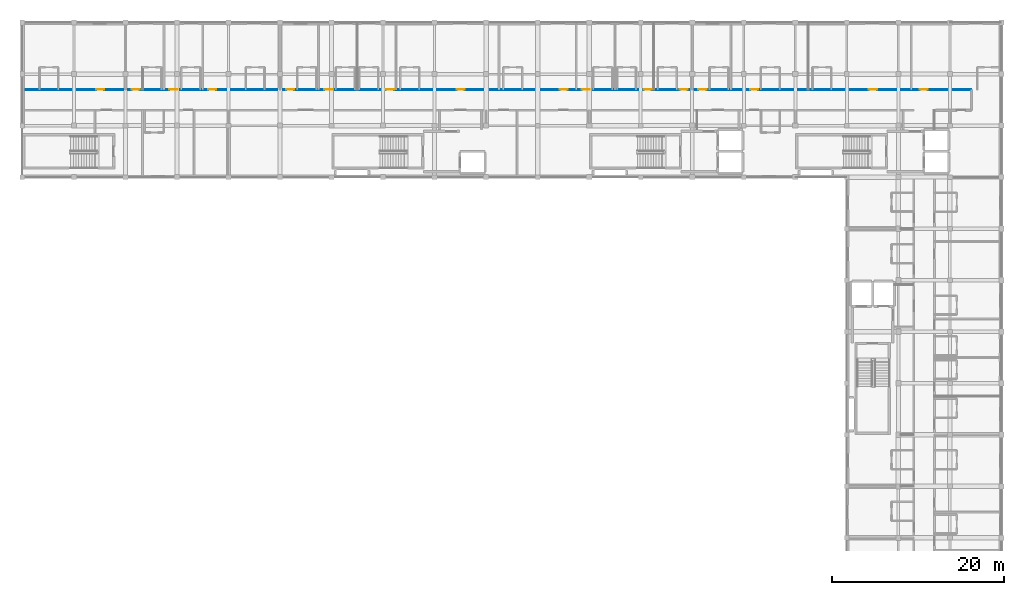
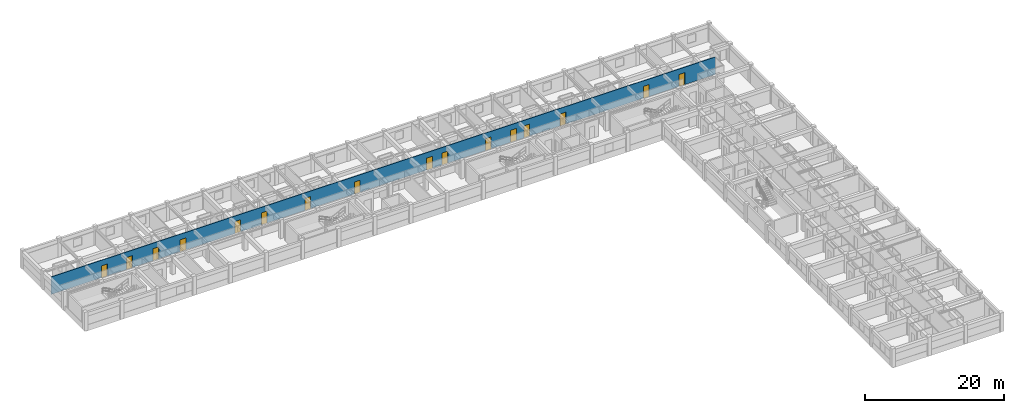
# One storey, part 12 of 21: 16 doors, 1 wall, 16 openings.
"""IFC4 building model written with IfcOpenShell, lengths in metres."""

import ifcopenshell
import ifcopenshell.guid

model = None  # the IFC model being written
_history = None  # IfcOwnerHistory: only IFC2X3 demands one
_inside = {}  # id of a spatial element -> (the spatial element, [elements in it])
_under = {}  # id of a project, library or spatial element -> (it, [spatial elements below it])
_declared = {}  # id of a project -> (the project, [libraries it declares])
_typed = {}  # id of a type object -> (the type object, [elements of that type])
_made_of = {}  # id of a material, layer set ... -> (it, [elements and type objects made of it])


def new_model(schema):
    """Start an empty IFC model of exactly this schema.

    Asked for "IFC4X3", IfcOpenShell would pick the latest addendum, in which some entities
    have other attributes; the version numbers below select the first issue.
    IFC2X3 requires an IfcOwnerHistory on every rooted entity: one is made here for all.
    """
    global model, _history
    if schema == "IFC4X3":
        model = ifcopenshell.file(schema_version=(4, 3, 0, 0))
    else:
        model = ifcopenshell.file(schema=schema)
    _inside.clear()
    _under.clear()
    _declared.clear()
    _typed.clear()
    _made_of.clear()
    _history = None
    if model.schema == "IFC2X3":
        org = make("IfcOrganization", Name="unknown")
        user = make(
            "IfcPersonAndOrganization",
            ThePerson=make("IfcPerson", FamilyName="unknown"),
            TheOrganization=org,
        )
        app = make(
            "IfcApplication",
            ApplicationDeveloper=org,
            Version="unknown",
            ApplicationFullName="unknown",
            ApplicationIdentifier="unknown",
        )
        _history = make(
            "IfcOwnerHistory",
            OwningUser=user,
            OwningApplication=app,
            ChangeAction="ADDED",
            CreationDate=0,
        )
    return model


def make(cls, **values):
    """One entity of the class cls with the attributes given. An attribute that is None is left unset."""
    return model.create_entity(
        cls, **{name: value for name, value in values.items() if value is not None}
    )


def rooted(cls, **values):
    """An entity with a GlobalId (a new one), such as an element, a storey or a relation."""
    return make(cls, GlobalId=ifcopenshell.guid.new(), OwnerHistory=_history, **values)


def si_unit(unit_type, name, prefix=None):
    """IfcSIUnit, for example si_unit("LENGTHUNIT", "METRE", prefix="MILLI")."""
    return make("IfcSIUnit", UnitType=unit_type, Prefix=prefix, Name=name)


def assignment(units):
    """IfcUnitAssignment: the units of a project."""
    return None if units is None else make("IfcUnitAssignment", Units=units)


def point(xyz):
    """IfcCartesianPoint."""
    return None if xyz is None else make("IfcCartesianPoint", Coordinates=xyz)


def direction(xyz):
    """IfcDirection."""
    return None if xyz is None else make("IfcDirection", DirectionRatios=xyz)


def frame(location, z_axis=None, x_axis=None):
    """IfcAxis2Placement3D, a coordinate frame: its origin and axes. An axis left out is left unset."""
    return make(
        "IfcAxis2Placement3D",
        Location=point(location),
        Axis=direction(z_axis),
        RefDirection=direction(x_axis),
    )


def frame_2d(location, x_axis=None):
    """IfcAxis2Placement2D, a coordinate frame in the plane: its origin and x axis."""
    return make(
        "IfcAxis2Placement2D", Location=point(location), RefDirection=direction(x_axis)
    )


def origin():
    """The frame at (0, 0, 0) with its axes left unset."""
    return frame((0.0, 0.0, 0.0))


def place(relative_to, where):
    """IfcLocalPlacement: puts the frame where relative to a parent placement (None: the world)."""
    return make(
        "IfcLocalPlacement", PlacementRelTo=relative_to, RelativePlacement=where
    )


def context(
    kind, dimensions, precision=None, world=None, true_north=None, identifier=None
):
    """IfcGeometricRepresentationContext, for example the 3D "Model" context."""
    return make(
        "IfcGeometricRepresentationContext",
        ContextIdentifier=identifier,
        ContextType=kind,
        CoordinateSpaceDimension=dimensions,
        Precision=precision,
        WorldCoordinateSystem=world,
        TrueNorth=true_north,
    )


def subcontext(parent, identifier, kind, view, scale=None):
    """IfcGeometricRepresentationSubContext, for example "Body" below "Model"."""
    return make(
        "IfcGeometricRepresentationSubContext",
        ContextIdentifier=identifier,
        ContextType=kind,
        ParentContext=parent,
        TargetScale=scale,
        TargetView=view,
    )


def project(units=None, contexts=None):
    """IfcProject with its units and contexts."""
    return rooted(
        "IfcProject",
        Name="project",
        RepresentationContexts=contexts,
        UnitsInContext=assignment(units),
    )


def spatial(cls, under=None, at=None, **own):
    """A site, building, storey or space (cls), placed at a placement, below another one or the project."""
    s = rooted(cls, ObjectPlacement=at, **own)
    if under is not None:
        _under.setdefault(under.id(), (under, []))[1].append(s)
    return s


def profile(cls, at=None, kind="AREA", **sizes):
    """A parametric profile (cls). Its sizes go by their IFC names, for example OverallWidth=200.0."""
    return make(cls, ProfileType=kind, Position=at, **sizes)


def rectangle(**sizes):
    """IfcRectangleProfileDef."""
    return profile("IfcRectangleProfileDef", **sizes)


def extrude(swept, where, along, depth):
    """IfcExtrudedAreaSolid: the profile swept, set in the frame where, extruded along a direction by depth."""
    return make(
        "IfcExtrudedAreaSolid",
        SweptArea=swept,
        Position=where,
        ExtrudedDirection=direction(along),
        Depth=depth,
    )


def shape(context_of_items, identifier, shape_type, items):
    """IfcShapeRepresentation: the items that make up one representation, for example the "Body"."""
    return make(
        "IfcShapeRepresentation",
        ContextOfItems=context_of_items,
        RepresentationIdentifier=identifier,
        RepresentationType=shape_type,
        Items=items,
    )


def material(Name=None, Category=None):
    """IfcMaterial."""
    return make("IfcMaterial", Name=Name, Category=Category)


def layer(
    of_material, thickness, ventilated=None, Name=None, Category=None, Priority=None
):
    """IfcMaterialLayer: one layer of a wall or slab, of a material (None: an air gap)."""
    return make(
        "IfcMaterialLayer",
        Material=of_material,
        LayerThickness=thickness,
        IsVentilated=ventilated,
        Name=Name,
        Category=Category,
        Priority=Priority,
    )


def layer_set(layers, Name=None):
    """IfcMaterialLayerSet."""
    return make("IfcMaterialLayerSet", MaterialLayers=layers, LayerSetName=Name)


def made_of(thing, what):
    """Note that an element or type object is made of a material, layer set ...; save() writes the relation."""
    if what is not None:
        _made_of.setdefault(what.id(), (what, []))[1].append(thing)
    return thing


def type_object(cls, material=None, **own):
    """A type object (cls), such as IfcWallType, which elements share."""
    return made_of(rooted(cls, **own), material)


def element(
    cls,
    number,
    at=None,
    inside=None,
    cuts=None,
    type_object=None,
    material=None,
    context=None,
    identifier="Body",
    shape_type=None,
    held_by="IfcProductDefinitionShape",
    body=None,
    shapes=None,
    **own,
):
    """One element of the class cls, such as IfcWall. Its Tag is "e" and its number.

    at: its placement. inside: the storey or other place that contains it. cuts: it is an
    opening in that element (IfcRelVoidsElement). A single representation is given by context,
    identifier, shape_type and body (its items); several are given by shapes. held_by: the class
    of the entity that holds the representations. save() writes the other relations.
    """
    e = rooted(cls, Tag="e%d" % number, ObjectPlacement=at, **own)
    if body is not None:
        shapes = [shape(context, identifier, shape_type, body)]
    if shapes is not None:
        e.Representation = make(held_by, Representations=shapes)
    if inside is not None:
        _inside.setdefault(inside.id(), (inside, []))[1].append(e)
    if cuts is not None:
        rooted(
            "IfcRelVoidsElement", RelatingBuildingElement=cuts, RelatedOpeningElement=e
        )
    if type_object is not None:
        _typed.setdefault(type_object.id(), (type_object, []))[1].append(e)
    return made_of(e, material)


def fill(opening, filler):
    """IfcRelFillsElement: the door or window that sits in an opening."""
    return rooted(
        "IfcRelFillsElement",
        RelatingOpeningElement=opening,
        RelatedBuildingElement=filler,
    )


def aggregate(whole, parts):
    """IfcRelAggregates: a whole, such as a stair, and the parts it consists of."""
    return rooted("IfcRelAggregates", RelatingObject=whole, RelatedObjects=parts)


def save(model, path):
    """Write the relations noted so far, then the file.

    IfcRelAggregates (storeys below a building ...), IfcRelContainedInSpatialStructure (elements
    in a storey), IfcRelDefinesByType, IfcRelAssociatesMaterial and IfcRelDeclares: one each for
    every whole, place, type object, material and project.
    """
    for whole, parts in _under.values():
        aggregate(whole, parts)
    for where, things in _inside.values():
        rooted(
            "IfcRelContainedInSpatialStructure",
            RelatedElements=things,
            RelatingStructure=where,
        )
    for kind, things in _typed.values():
        rooted("IfcRelDefinesByType", RelatedObjects=things, RelatingType=kind)
    for what, things in _made_of.values():
        rooted("IfcRelAssociatesMaterial", RelatedObjects=things, RelatingMaterial=what)
    for by, libraries in _declared.values():
        rooted("IfcRelDeclares", RelatingContext=by, RelatedDefinitions=libraries)
    model.write(path)


model = new_model("IFC4")

# Units and contexts
model_context = context("Model", 3, precision=1e-05, world=origin(), true_north=direction((0.0, 1.0)))
body_context = subcontext(model_context, "Body", "Model", "MODEL_VIEW")
ifc_project = project(units=[si_unit("LENGTHUNIT", "METRE"), si_unit("AREAUNIT", "SQUARE_METRE"), si_unit("VOLUMEUNIT", "CUBIC_METRE"), si_unit("PLANEANGLEUNIT", "RADIAN"), si_unit("MASSUNIT", "GRAM", prefix="KILO"), si_unit("THERMODYNAMICTEMPERATUREUNIT", "KELVIN"), si_unit("POWERUNIT", "WATT")], contexts=[model_context])

# Site, building, storey
site_placement = place(None, origin())
site = spatial("IfcSite", under=ifc_project, at=site_placement, CompositionType="ELEMENT")
building_placement = place(site_placement, origin())
building = spatial("IfcBuilding", under=site, at=building_placement, Name="Phaisarnlok Congress Hotel", CompositionType="ELEMENT")
storey_placement = place(building_placement, frame((0.0, 0.0, 31.5)))
storey = spatial("IfcBuildingStorey", under=building, at=storey_placement, Name="L07", CompositionType="ELEMENT", Elevation=31.5)

# Wall, openings, doors
ifc_material_1 = material(Name="Service Riser Shaftwall Partition", Category="gypsum")
ifc_layer = layer(ifc_material_1, 0.10498046875, Name="Service Riser Shaftwall Partition")
ifc_layer_set = layer_set([ifc_layer], Name="Service Riser Shaftwall Partition")
wall_type = type_object("IfcWallType", Name="WL-INT-105", PredefinedType="PARTITIONING", material=ifc_layer_set)
wall_placement = place(storey_placement, frame((66.215087890625, 118.199951171875, 0.0), z_axis=(0.0, 0.0, 1.0), x_axis=(1.0, 0.0, 0.0)))
wall = element("IfcWall", 1, at=wall_placement, inside=storey, type_object=wall_type, Name="Interior partition wall IW-08 (L07)", PredefinedType="PARTITIONING", context=body_context, shape_type="SweptSolid", body=[
    extrude(rectangle(XDim=110.284912109375, YDim=0.10498046875, at=frame_2d((55.142578125, 0.0))), origin(), (0.0, 0.0, 1.0), 3.070068359375),
])
opening_1_placement = place(wall_placement, frame((8.360107421875, 0.0, 0.0)))
opening_1 = element("IfcOpeningElement", 2, at=opening_1_placement, cuts=wall, Name="Opening D-0324", PredefinedType="OPENING", context=body_context, shape_type="SweptSolid", body=[
    extrude(rectangle(XDim=0.949951171875, YDim=2.10009765625, at=frame_2d((0.47509765625, 1.050048828125))), frame((0.0, 0.0625, 0.0), z_axis=(0.0, -1.0, 0.0), x_axis=(1.0, 0.0, 0.0)), (0.0, 0.0, 1.0), 0.125),
])
opening_2_placement = place(wall_placement, frame((12.510009765625, 0.0, 0.0)))
opening_2 = element("IfcOpeningElement", 3, at=opening_2_placement, cuts=wall, Name="Opening D-0326", PredefinedType="OPENING", context=body_context, shape_type="SweptSolid", body=[
    extrude(rectangle(XDim=0.949951171875, YDim=2.10009765625, at=frame_2d((0.47509765625, 1.050048828125))), frame((0.0, 0.0625, 0.0), z_axis=(0.0, -1.0, 0.0), x_axis=(1.0, 0.0, 0.0)), (0.0, 0.0, 1.0), 0.125),
])
opening_3_placement = place(wall_placement, frame((16.909912109375, 0.0, 0.0)))
opening_3 = element("IfcOpeningElement", 4, at=opening_3_placement, cuts=wall, Name="Opening D-0328", PredefinedType="OPENING", context=body_context, shape_type="SweptSolid", body=[
    extrude(rectangle(XDim=0.949951171875, YDim=2.10009765625, at=frame_2d((0.47509765625, 1.050048828125))), frame((0.0, 0.0625, 0.0), z_axis=(0.0, -1.0, 0.0), x_axis=(1.0, 0.0, 0.0)), (0.0, 0.0, 1.0), 0.125),
])
opening_4_placement = place(wall_placement, frame((21.409912109375, 0.0, 0.0)))
opening_4 = element("IfcOpeningElement", 5, at=opening_4_placement, cuts=wall, Name="Opening D-0330", PredefinedType="OPENING", context=body_context, shape_type="SweptSolid", body=[
    extrude(rectangle(XDim=0.949951171875, YDim=2.10009765625, at=frame_2d((0.47509765625, 1.050048828125))), frame((0.0, 0.0625, 0.0), z_axis=(0.0, -1.0, 0.0), x_axis=(1.0, 0.0, 0.0)), (0.0, 0.0, 1.0), 0.125),
])
opening_5_placement = place(wall_placement, frame((30.510009765625, 0.0, 0.0)))
opening_5 = element("IfcOpeningElement", 6, at=opening_5_placement, cuts=wall, Name="Opening D-0332", PredefinedType="OPENING", context=body_context, shape_type="SweptSolid", body=[
    extrude(rectangle(XDim=0.949951171875, YDim=2.10009765625, at=frame_2d((0.47509765625, 1.050048828125))), frame((0.0, 0.0625, 0.0), z_axis=(0.0, -1.0, 0.0), x_axis=(1.0, 0.0, 0.0)), (0.0, 0.0, 1.0), 0.125),
])
opening_6_placement = place(wall_placement, frame((34.909912109375, 0.0, 0.0)))
opening_6 = element("IfcOpeningElement", 7, at=opening_6_placement, cuts=wall, Name="Opening D-0334", PredefinedType="OPENING", context=body_context, shape_type="SweptSolid", body=[
    extrude(rectangle(XDim=0.949951171875, YDim=2.10009765625, at=frame_2d((0.47509765625, 1.050048828125))), frame((0.0, 0.0625, 0.0), z_axis=(0.0, -1.0, 0.0), x_axis=(1.0, 0.0, 0.0)), (0.0, 0.0, 1.0), 0.125),
])
opening_7_placement = place(wall_placement, frame((42.110107421875, 0.0, 0.0)))
opening_7 = element("IfcOpeningElement", 8, at=opening_7_placement, cuts=wall, Name="Opening D-0336", PredefinedType="OPENING", context=body_context, shape_type="SweptSolid", body=[
    extrude(rectangle(XDim=0.949951171875, YDim=2.10009765625, at=frame_2d((0.47509765625, 1.050048828125))), frame((0.0, 0.0625, 0.0), z_axis=(0.0, -1.0, 0.0), x_axis=(1.0, 0.0, 0.0)), (0.0, 0.0, 1.0), 0.125),
])
opening_8_placement = place(wall_placement, frame((50.360107421875, 0.0, 0.0)))
opening_8 = element("IfcOpeningElement", 9, at=opening_8_placement, cuts=wall, Name="Opening D-0338", PredefinedType="OPENING", context=body_context, shape_type="SweptSolid", body=[
    extrude(rectangle(XDim=0.949951171875, YDim=2.10009765625, at=frame_2d((0.47509765625, 1.050048828125))), frame((0.0, 0.0625, 0.0), z_axis=(0.0, -1.0, 0.0), x_axis=(1.0, 0.0, 0.0)), (0.0, 0.0, 1.0), 0.125),
])
opening_9_placement = place(wall_placement, frame((62.360107421875, 0.0, 0.0)))
opening_9 = element("IfcOpeningElement", 10, at=opening_9_placement, cuts=wall, Name="Opening D-0340", PredefinedType="OPENING", context=body_context, shape_type="SweptSolid", body=[
    extrude(rectangle(XDim=0.949951171875, YDim=2.10009765625, at=frame_2d((0.47509765625, 1.050048828125))), frame((0.0, 0.0625, 0.0), z_axis=(0.0, -1.0, 0.0), x_axis=(1.0, 0.0, 0.0)), (0.0, 0.0, 1.0), 0.125),
])
opening_10_placement = place(wall_placement, frame((64.909912109375, 0.0, 0.0)))
opening_10 = element("IfcOpeningElement", 11, at=opening_10_placement, cuts=wall, Name="Opening D-0342", PredefinedType="OPENING", context=body_context, shape_type="SweptSolid", body=[
    extrude(rectangle(XDim=0.949951171875, YDim=2.10009765625, at=frame_2d((0.47509765625, 1.050048828125))), frame((0.0, 0.0625, 0.0), z_axis=(0.0, -1.0, 0.0), x_axis=(1.0, 0.0, 0.0)), (0.0, 0.0, 1.0), 0.125),
])
opening_11_placement = place(wall_placement, frame((72.110107421875, 0.0, 0.0)))
opening_11 = element("IfcOpeningElement", 12, at=opening_11_placement, cuts=wall, Name="Opening D-0344", PredefinedType="OPENING", context=body_context, shape_type="SweptSolid", body=[
    extrude(rectangle(XDim=0.949951171875, YDim=2.10009765625, at=frame_2d((0.47509765625, 1.050048828125))), frame((0.0, 0.0625, 0.0), z_axis=(0.0, -1.0, 0.0), x_axis=(1.0, 0.0, 0.0)), (0.0, 0.0, 1.0), 0.125),
])
opening_12_placement = place(wall_placement, frame((76.31005859375, 0.0, 0.0)))
opening_12 = element("IfcOpeningElement", 13, at=opening_12_placement, cuts=wall, Name="Opening D-0346", PredefinedType="OPENING", context=body_context, shape_type="SweptSolid", body=[
    extrude(rectangle(XDim=0.949951171875, YDim=2.10009765625, at=frame_2d((0.47509765625, 1.050048828125))), frame((0.0, 0.0625, 0.0), z_axis=(0.0, -1.0, 0.0), x_axis=(1.0, 0.0, 0.0)), (0.0, 0.0, 1.0), 0.125),
])
opening_13_placement = place(wall_placement, frame((78.510009765625, 0.0, 0.0)))
opening_13 = element("IfcOpeningElement", 14, at=opening_13_placement, cuts=wall, Name="Opening D-0348", PredefinedType="OPENING", context=body_context, shape_type="SweptSolid", body=[
    extrude(rectangle(XDim=0.949951171875, YDim=2.10009765625, at=frame_2d((0.47509765625, 1.050048828125))), frame((0.0, 0.0625, 0.0), z_axis=(0.0, -1.0, 0.0), x_axis=(1.0, 0.0, 0.0)), (0.0, 0.0, 1.0), 0.125),
])
opening_14_placement = place(wall_placement, frame((84.510009765625, 0.0, 0.0)))
opening_14 = element("IfcOpeningElement", 15, at=opening_14_placement, cuts=wall, Name="Opening D-0350", PredefinedType="OPENING", context=body_context, shape_type="SweptSolid", body=[
    extrude(rectangle(XDim=0.949951171875, YDim=2.10009765625, at=frame_2d((0.47509765625, 1.050048828125))), frame((0.0, 0.0625, 0.0), z_axis=(0.0, -1.0, 0.0), x_axis=(1.0, 0.0, 0.0)), (0.0, 0.0, 1.0), 0.125),
])
opening_15_placement = place(wall_placement, frame((98.360107421875, 0.0, 0.0)))
opening_15 = element("IfcOpeningElement", 16, at=opening_15_placement, cuts=wall, Name="Opening D-0352", PredefinedType="OPENING", context=body_context, shape_type="SweptSolid", body=[
    extrude(rectangle(XDim=0.949951171875, YDim=2.10009765625, at=frame_2d((0.47509765625, 1.050048828125))), frame((0.0, 0.0625, 0.0), z_axis=(0.0, -1.0, 0.0), x_axis=(1.0, 0.0, 0.0)), (0.0, 0.0, 1.0), 0.125),
])
opening_16_placement = place(wall_placement, frame((104.260009765625, 0.0, 0.0)))
opening_16 = element("IfcOpeningElement", 17, at=opening_16_placement, cuts=wall, Name="Opening D-0354", PredefinedType="OPENING", context=body_context, shape_type="SweptSolid", body=[
    extrude(rectangle(XDim=0.949951171875, YDim=2.10009765625, at=frame_2d((0.47509765625, 1.050048828125))), frame((0.0, 0.0625, 0.0), z_axis=(0.0, -1.0, 0.0), x_axis=(1.0, 0.0, 0.0)), (0.0, 0.0, 1.0), 0.125),
])
ifc_material_2 = material(Name="Acoustic Solid-Core Teak Veneer", Category="wood")
door_type = type_object("IfcDoorType", Name="DR-FD30-950", OperationType="NOTDEFINED", PredefinedType="DOOR", material=ifc_material_2)
door_1_placement = place(opening_1_placement, origin())
door_1 = element("IfcDoor", 18, at=door_1_placement, inside=storey, type_object=door_type, Name="Interior door D-0324 (L07)", OperationType="SINGLE_SWING_RIGHT", OverallHeight=2.10009765625, OverallWidth=0.949951171875, PredefinedType="DOOR", context=body_context, shape_type="SweptSolid", body=[
    extrude(rectangle(XDim=0.949951171875, YDim=2.10009765625, at=frame_2d((0.47509765625, 1.050048828125))), frame((0.0, 0.02490234375, 0.0), z_axis=(0.0, -1.0, 0.0), x_axis=(1.0, 0.0, 0.0)), (0.0, 0.0, 1.0), 0.050048828125),
])
fill(opening_1, door_1)
door_2_placement = place(opening_2_placement, origin())
door_2 = element("IfcDoor", 19, at=door_2_placement, inside=storey, type_object=door_type, Name="Interior door D-0326 (L07)", OperationType="SINGLE_SWING_RIGHT", OverallHeight=2.10009765625, OverallWidth=0.949951171875, PredefinedType="DOOR", context=body_context, shape_type="SweptSolid", body=[
    extrude(rectangle(XDim=0.949951171875, YDim=2.10009765625, at=frame_2d((0.47509765625, 1.050048828125))), frame((0.0, 0.02490234375, 0.0), z_axis=(0.0, -1.0, 0.0), x_axis=(1.0, 0.0, 0.0)), (0.0, 0.0, 1.0), 0.050048828125),
])
fill(opening_2, door_2)
door_3_placement = place(opening_3_placement, origin())
door_3 = element("IfcDoor", 20, at=door_3_placement, inside=storey, type_object=door_type, Name="Interior door D-0328 (L07)", OperationType="SINGLE_SWING_RIGHT", OverallHeight=2.10009765625, OverallWidth=0.949951171875, PredefinedType="DOOR", context=body_context, shape_type="SweptSolid", body=[
    extrude(rectangle(XDim=0.949951171875, YDim=2.10009765625, at=frame_2d((0.47509765625, 1.050048828125))), frame((0.0, 0.02490234375, 0.0), z_axis=(0.0, -1.0, 0.0), x_axis=(1.0, 0.0, 0.0)), (0.0, 0.0, 1.0), 0.050048828125),
])
fill(opening_3, door_3)
door_4_placement = place(opening_4_placement, origin())
door_4 = element("IfcDoor", 21, at=door_4_placement, inside=storey, type_object=door_type, Name="Interior door D-0330 (L07)", OperationType="SINGLE_SWING_RIGHT", OverallHeight=2.10009765625, OverallWidth=0.949951171875, PredefinedType="DOOR", context=body_context, shape_type="SweptSolid", body=[
    extrude(rectangle(XDim=0.949951171875, YDim=2.10009765625, at=frame_2d((0.47509765625, 1.050048828125))), frame((0.0, 0.02490234375, 0.0), z_axis=(0.0, -1.0, 0.0), x_axis=(1.0, 0.0, 0.0)), (0.0, 0.0, 1.0), 0.050048828125),
])
fill(opening_4, door_4)
door_5_placement = place(opening_5_placement, origin())
door_5 = element("IfcDoor", 22, at=door_5_placement, inside=storey, type_object=door_type, Name="Interior door D-0332 (L07)", OperationType="SINGLE_SWING_RIGHT", OverallHeight=2.10009765625, OverallWidth=0.949951171875, PredefinedType="DOOR", context=body_context, shape_type="SweptSolid", body=[
    extrude(rectangle(XDim=0.949951171875, YDim=2.10009765625, at=frame_2d((0.47509765625, 1.050048828125))), frame((0.0, 0.02490234375, 0.0), z_axis=(0.0, -1.0, 0.0), x_axis=(1.0, 0.0, 0.0)), (0.0, 0.0, 1.0), 0.050048828125),
])
fill(opening_5, door_5)
door_6_placement = place(opening_6_placement, origin())
door_6 = element("IfcDoor", 23, at=door_6_placement, inside=storey, type_object=door_type, Name="Interior door D-0334 (L07)", OperationType="SINGLE_SWING_RIGHT", OverallHeight=2.10009765625, OverallWidth=0.949951171875, PredefinedType="DOOR", context=body_context, shape_type="SweptSolid", body=[
    extrude(rectangle(XDim=0.949951171875, YDim=2.10009765625, at=frame_2d((0.47509765625, 1.050048828125))), frame((0.0, 0.02490234375, 0.0), z_axis=(0.0, -1.0, 0.0), x_axis=(1.0, 0.0, 0.0)), (0.0, 0.0, 1.0), 0.050048828125),
])
fill(opening_6, door_6)
door_7_placement = place(opening_7_placement, origin())
door_7 = element("IfcDoor", 24, at=door_7_placement, inside=storey, type_object=door_type, Name="Interior door D-0336 (L07)", OperationType="SINGLE_SWING_RIGHT", OverallHeight=2.10009765625, OverallWidth=0.949951171875, PredefinedType="DOOR", context=body_context, shape_type="SweptSolid", body=[
    extrude(rectangle(XDim=0.949951171875, YDim=2.10009765625, at=frame_2d((0.47509765625, 1.050048828125))), frame((0.0, 0.02490234375, 0.0), z_axis=(0.0, -1.0, 0.0), x_axis=(1.0, 0.0, 0.0)), (0.0, 0.0, 1.0), 0.050048828125),
])
fill(opening_7, door_7)
door_8_placement = place(opening_8_placement, origin())
door_8 = element("IfcDoor", 25, at=door_8_placement, inside=storey, type_object=door_type, Name="Interior door D-0338 (L07)", OperationType="SINGLE_SWING_RIGHT", OverallHeight=2.10009765625, OverallWidth=0.949951171875, PredefinedType="DOOR", context=body_context, shape_type="SweptSolid", body=[
    extrude(rectangle(XDim=0.949951171875, YDim=2.10009765625, at=frame_2d((0.47509765625, 1.050048828125))), frame((0.0, 0.02490234375, 0.0), z_axis=(0.0, -1.0, 0.0), x_axis=(1.0, 0.0, 0.0)), (0.0, 0.0, 1.0), 0.050048828125),
])
fill(opening_8, door_8)
door_9_placement = place(opening_9_placement, origin())
door_9 = element("IfcDoor", 26, at=door_9_placement, inside=storey, type_object=door_type, Name="Interior door D-0340 (L07)", OperationType="SINGLE_SWING_RIGHT", OverallHeight=2.10009765625, OverallWidth=0.949951171875, PredefinedType="DOOR", context=body_context, shape_type="SweptSolid", body=[
    extrude(rectangle(XDim=0.949951171875, YDim=2.10009765625, at=frame_2d((0.47509765625, 1.050048828125))), frame((0.0, 0.02490234375, 0.0), z_axis=(0.0, -1.0, 0.0), x_axis=(1.0, 0.0, 0.0)), (0.0, 0.0, 1.0), 0.050048828125),
])
fill(opening_9, door_9)
door_10_placement = place(opening_10_placement, origin())
door_10 = element("IfcDoor", 27, at=door_10_placement, inside=storey, type_object=door_type, Name="Interior door D-0342 (L07)", OperationType="SINGLE_SWING_RIGHT", OverallHeight=2.10009765625, OverallWidth=0.949951171875, PredefinedType="DOOR", context=body_context, shape_type="SweptSolid", body=[
    extrude(rectangle(XDim=0.949951171875, YDim=2.10009765625, at=frame_2d((0.47509765625, 1.050048828125))), frame((0.0, 0.02490234375, 0.0), z_axis=(0.0, -1.0, 0.0), x_axis=(1.0, 0.0, 0.0)), (0.0, 0.0, 1.0), 0.050048828125),
])
fill(opening_10, door_10)
door_11_placement = place(opening_11_placement, origin())
door_11 = element("IfcDoor", 28, at=door_11_placement, inside=storey, type_object=door_type, Name="Interior door D-0344 (L07)", OperationType="SINGLE_SWING_RIGHT", OverallHeight=2.10009765625, OverallWidth=0.949951171875, PredefinedType="DOOR", context=body_context, shape_type="SweptSolid", body=[
    extrude(rectangle(XDim=0.949951171875, YDim=2.10009765625, at=frame_2d((0.47509765625, 1.050048828125))), frame((0.0, 0.02490234375, 0.0), z_axis=(0.0, -1.0, 0.0), x_axis=(1.0, 0.0, 0.0)), (0.0, 0.0, 1.0), 0.050048828125),
])
fill(opening_11, door_11)
door_12_placement = place(opening_12_placement, origin())
door_12 = element("IfcDoor", 29, at=door_12_placement, inside=storey, type_object=door_type, Name="Interior door D-0346 (L07)", OperationType="SINGLE_SWING_RIGHT", OverallHeight=2.10009765625, OverallWidth=0.949951171875, PredefinedType="DOOR", context=body_context, shape_type="SweptSolid", body=[
    extrude(rectangle(XDim=0.949951171875, YDim=2.10009765625, at=frame_2d((0.47509765625, 1.050048828125))), frame((0.0, 0.02490234375, 0.0), z_axis=(0.0, -1.0, 0.0), x_axis=(1.0, 0.0, 0.0)), (0.0, 0.0, 1.0), 0.050048828125),
])
fill(opening_12, door_12)
door_13_placement = place(opening_13_placement, origin())
door_13 = element("IfcDoor", 30, at=door_13_placement, inside=storey, type_object=door_type, Name="Interior door D-0348 (L07)", OperationType="SINGLE_SWING_RIGHT", OverallHeight=2.10009765625, OverallWidth=0.949951171875, PredefinedType="DOOR", context=body_context, shape_type="SweptSolid", body=[
    extrude(rectangle(XDim=0.949951171875, YDim=2.10009765625, at=frame_2d((0.47509765625, 1.050048828125))), frame((0.0, 0.02490234375, 0.0), z_axis=(0.0, -1.0, 0.0), x_axis=(1.0, 0.0, 0.0)), (0.0, 0.0, 1.0), 0.050048828125),
])
fill(opening_13, door_13)
door_14_placement = place(opening_14_placement, origin())
door_14 = element("IfcDoor", 31, at=door_14_placement, inside=storey, type_object=door_type, Name="Interior door D-0350 (L07)", OperationType="SINGLE_SWING_RIGHT", OverallHeight=2.10009765625, OverallWidth=0.949951171875, PredefinedType="DOOR", context=body_context, shape_type="SweptSolid", body=[
    extrude(rectangle(XDim=0.949951171875, YDim=2.10009765625, at=frame_2d((0.47509765625, 1.050048828125))), frame((0.0, 0.02490234375, 0.0), z_axis=(0.0, -1.0, 0.0), x_axis=(1.0, 0.0, 0.0)), (0.0, 0.0, 1.0), 0.050048828125),
])
fill(opening_14, door_14)
door_15_placement = place(opening_15_placement, origin())
door_15 = element("IfcDoor", 32, at=door_15_placement, inside=storey, type_object=door_type, Name="Interior door D-0352 (L07)", OperationType="SINGLE_SWING_RIGHT", OverallHeight=2.10009765625, OverallWidth=0.949951171875, PredefinedType="DOOR", context=body_context, shape_type="SweptSolid", body=[
    extrude(rectangle(XDim=0.949951171875, YDim=2.10009765625, at=frame_2d((0.47509765625, 1.050048828125))), frame((0.0, 0.02490234375, 0.0), z_axis=(0.0, -1.0, 0.0), x_axis=(1.0, 0.0, 0.0)), (0.0, 0.0, 1.0), 0.050048828125),
])
fill(opening_15, door_15)
door_16_placement = place(opening_16_placement, origin())
door_16 = element("IfcDoor", 33, at=door_16_placement, inside=storey, type_object=door_type, Name="Interior door D-0354 (L07)", OperationType="SINGLE_SWING_RIGHT", OverallHeight=2.10009765625, OverallWidth=0.949951171875, PredefinedType="DOOR", context=body_context, shape_type="SweptSolid", body=[
    extrude(rectangle(XDim=0.949951171875, YDim=2.10009765625, at=frame_2d((0.47509765625, 1.050048828125))), frame((0.0, 0.02490234375, 0.0), z_axis=(0.0, -1.0, 0.0), x_axis=(1.0, 0.0, 0.0)), (0.0, 0.0, 1.0), 0.050048828125),
])
fill(opening_16, door_16)

save(model, "model.ifc")
